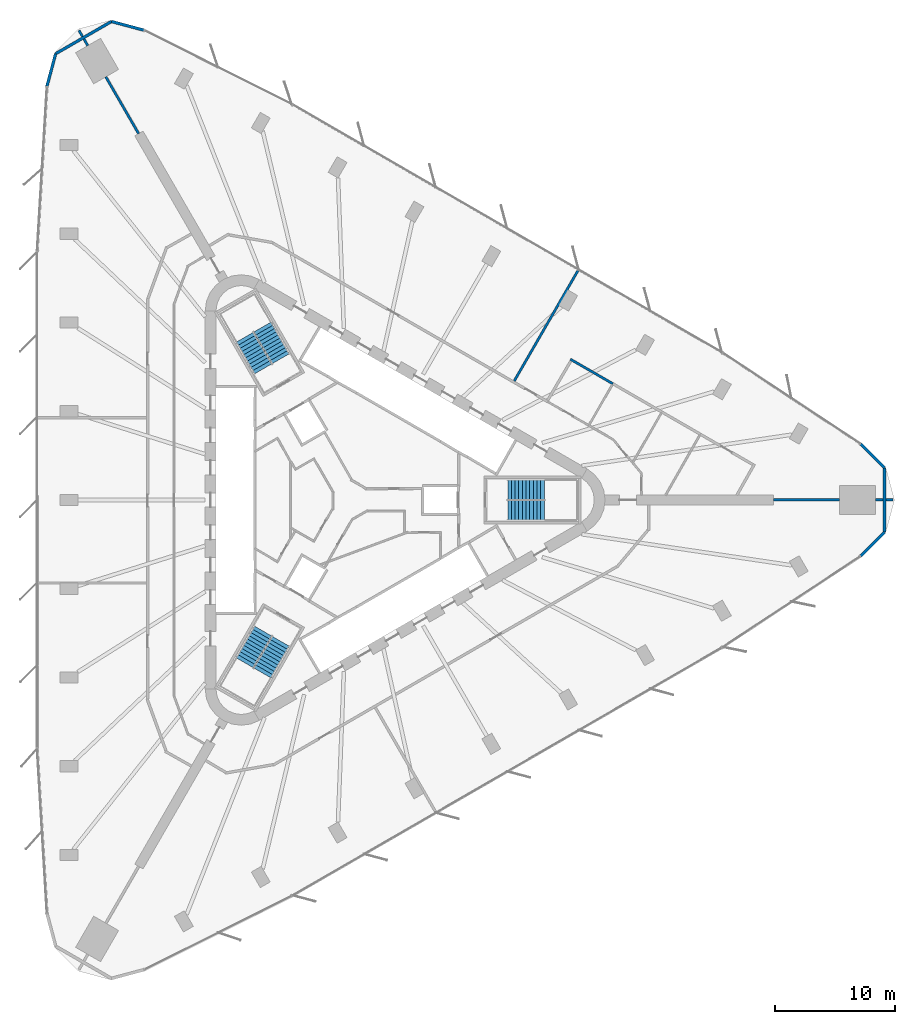
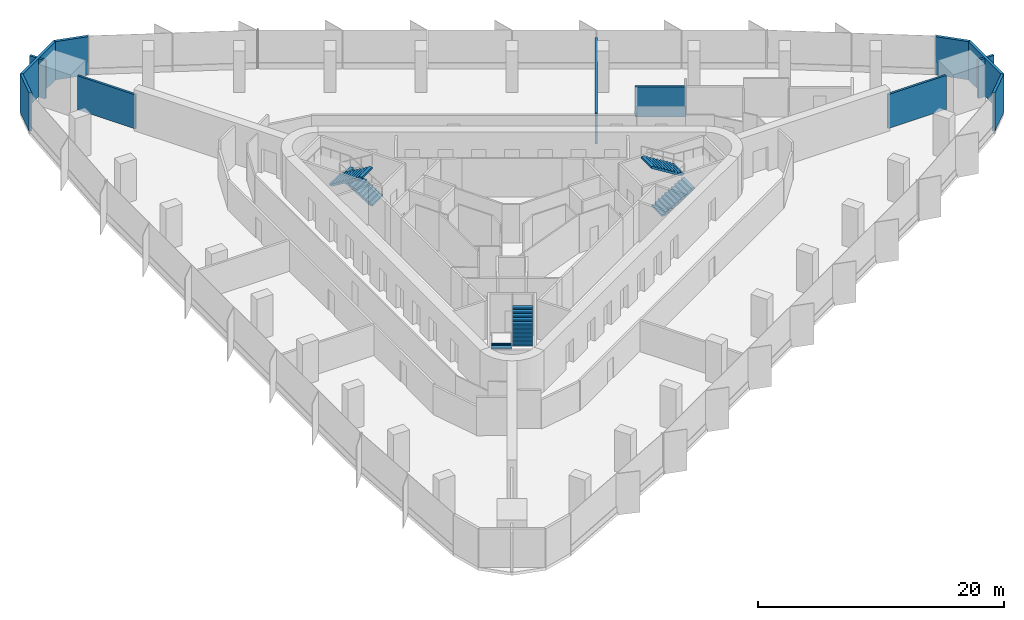
# One storey, part 13 of 14: 14 walls, 6 stair flights, 3 elements without a shape of their own.
"""IFC4 building model written with IfcOpenShell, lengths in metres."""

from ifc_helpers import new_model, si_unit, direction, frame, frame_2d, origin, place, context, subcontext, project, spatial, polyline, rectangle, outline, extrude, material, layer, layer_set, type_object, element, aggregate, save


model = new_model("IFC4")

# Units and contexts
model_context = context("Model", 3, precision=1e-05, world=origin(), true_north=direction((0.0, 1.0)))
body_context = subcontext(model_context, "Body", "Model", "MODEL_VIEW")
ifc_project = project(units=[si_unit("LENGTHUNIT", "METRE"), si_unit("AREAUNIT", "SQUARE_METRE"), si_unit("VOLUMEUNIT", "CUBIC_METRE"), si_unit("PLANEANGLEUNIT", "RADIAN"), si_unit("MASSUNIT", "GRAM", prefix="KILO")], contexts=[model_context])

# Site, building, storey
site_placement = place(None, origin())
site = spatial("IfcSite", under=ifc_project, at=site_placement, CompositionType="ELEMENT")
building_placement = place(site_placement, origin())
building = spatial("IfcBuilding", under=site, at=building_placement, Name="Tanit Gate Tower", CompositionType="ELEMENT")
storey_placement = place(building_placement, frame((0.0, 0.0, 53.699951171875)))
storey = spatial("IfcBuildingStorey", under=building, at=storey_placement, Name="L09", CompositionType="ELEMENT", Elevation=53.699951171875)

# Walls
ifc_material_1 = material(Name="Concrete C30/37 with bronze anodised aluminium cladding", Category="concrete")
ifc_layer_1 = layer(ifc_material_1, 0.239990234375)
ifc_layer_set_1 = layer_set([ifc_layer_1], Name="Facade wall bronze clad 240")
wall_type_1 = type_object("IfcWallType", Name="Facade wall bronze clad 240", PredefinedType="SOLIDWALL", material=ifc_layer_set_1)
wall_1_placement = place(storey_placement, frame((-17.202880859375, 39.1279296875, 0.0), z_axis=(0.0, 0.0, 1.0), x_axis=(-0.965923146675, 0.25882904535, 0.0)))
element("IfcWall", 1, at=wall_1_placement, inside=storey, type_object=wall_type_1, Name="Bronze-clad facade wall L09 NW.arc1", PredefinedType="SOLIDWALL", context=body_context, shape_type="SweptSolid", body=[
    extrude(rectangle(XDim=2.800537109375, YDim=0.239990234375, at=frame_2d((1.400390625, 0.0))), origin(), (0.0, 0.0, 1.0), 3.800048828125),
])
wall_2_placement = place(storey_placement, frame((-19.907958984375, 39.852783203125, 0.0), z_axis=(0.0, 0.0, 1.0), x_axis=(-0.866010734295, -0.500025407441, 0.0)))
element("IfcWall", 2, at=wall_2_placement, inside=storey, type_object=wall_type_1, Name="Bronze-clad facade wall L09 NW.arc2", PredefinedType="SOLIDWALL", context=body_context, shape_type="SweptSolid", body=[
    extrude(rectangle(XDim=5.371337890625, YDim=0.239990234375, at=frame_2d((2.685546875, 0.0))), origin(), (0.0, 0.0, 1.0), 3.800048828125),
])
wall_3_placement = place(storey_placement, frame((-24.5595703125, 37.1669921875, 0.0), z_axis=(0.0, 0.0, 1.0), x_axis=(-0.258850842196, -0.965917305723, 0.0)))
element("IfcWall", 3, at=wall_3_placement, inside=storey, type_object=wall_type_1, Name="Bronze-clad facade wall L09 NW.arc3", PredefinedType="SOLIDWALL", context=body_context, shape_type="SweptSolid", body=[
    extrude(rectangle(XDim=2.80029296875, YDim=0.239990234375, at=frame_2d((1.400146484375, 0.0))), origin(), (0.0, 0.0, 1.0), 3.800048828125),
])
wall_4_placement = place(storey_placement, frame((42.4873046875, -4.665771484375, 0.0), z_axis=(0.0, 0.0, 1.0), x_axis=(0.707106781187, 0.707106781187, 0.0)))
element("IfcWall", 4, at=wall_4_placement, inside=storey, type_object=wall_type_1, Name="Bronze-clad facade wall L09 E.arc1", PredefinedType="SOLIDWALL", context=body_context, shape_type="SweptSolid", body=[
    extrude(rectangle(XDim=2.800537109375, YDim=0.239990234375, at=frame_2d((1.400390625, 0.0))), origin(), (0.0, 0.0, 1.0), 3.800048828125),
])
wall_5_placement = place(storey_placement, frame((44.467529296875, -2.685546875, 0.0), z_axis=(0.0, 0.0, 1.0), x_axis=(0.0, 1.0, 0.0)))
element("IfcWall", 5, at=wall_5_placement, inside=storey, type_object=wall_type_1, Name="Bronze-clad facade wall L09 E.arc2", PredefinedType="SOLIDWALL", context=body_context, shape_type="SweptSolid", body=[
    extrude(rectangle(XDim=5.37109375, YDim=0.239990234375, at=frame_2d((2.685546875, 0.0))), origin(), (0.0, 0.0, 1.0), 3.800048828125),
])
wall_6_placement = place(storey_placement, frame((44.467529296875, 2.685546875, 0.0), z_axis=(0.0, 0.0, 1.0), x_axis=(-0.707106781187, 0.707106781187, 0.0)))
element("IfcWall", 6, at=wall_6_placement, inside=storey, type_object=wall_type_1, Name="Bronze-clad facade wall L09 E.arc3", PredefinedType="SOLIDWALL", context=body_context, shape_type="SweptSolid", body=[
    extrude(rectangle(XDim=2.800537109375, YDim=0.239990234375, at=frame_2d((1.400390625, 0.0))), origin(), (0.0, 0.0, 1.0), 3.800048828125),
])
ifc_material_2 = material(Name="Fire-rated gypsum board partition")
ifc_layer_2 = layer(ifc_material_2, 0.199951171875)
ifc_layer_set_2 = layer_set([ifc_layer_2], Name="INT-WALL-COMPARTMENT")
wall_type_2 = type_object("IfcWallType", Name="INT-WALL-COMPARTMENT", PredefinedType="PARTITIONING", material=ifc_layer_set_2)
wall_7_placement = place(storey_placement, frame((-22.615478515625, 39.111083984375, 0.0), z_axis=(0.0, 0.0, 1.0), x_axis=(0.500222587251, -0.865896854829, 0.0)))
element("IfcWall", 7, at=wall_7_placement, inside=storey, type_object=wall_type_2, Name="Wall Compartment W119", PredefinedType="PARTITIONING", context=body_context, shape_type="SweptSolid", body=[
    extrude(rectangle(XDim=0.591552734375, YDim=0.199951171875, at=frame_2d((0.2958984375, 0.0))), origin(), (0.0, 0.0, 1.0), 3.800048828125),
])
wall_8_placement = place(storey_placement, frame((-22.19970703125, 38.39111328125, 0.0), z_axis=(0.0, 0.0, 1.0), x_axis=(0.499977104415, -0.866038622153, 0.0)))
element("IfcWall", 8, at=wall_8_placement, inside=storey, type_object=wall_type_2, Name="Wall Compartment W119x1", PredefinedType="PARTITIONING", context=body_context, shape_type="SweptSolid", body=[
    extrude(rectangle(XDim=0.63623046875, YDim=0.199951171875, at=frame_2d((0.318115234375, 0.0))), origin(), (0.0, 0.0, 1.0), 3.800048828125),
])
wall_9_placement = place(storey_placement, frame((-20.381591796875, 35.241943359375, 0.0), z_axis=(0.0, 0.0, 1.0), x_axis=(0.499984217882, -0.866034515403, 0.0)))
element("IfcWall", 9, at=wall_9_placement, inside=storey, type_object=wall_type_2, Name="Wall Compartment W120", PredefinedType="PARTITIONING", context=body_context, shape_type="SweptSolid", body=[
    extrude(rectangle(XDim=5.463134765625, YDim=0.199951171875, at=frame_2d((2.7314453125, 0.0))), origin(), (0.0, 0.0, 1.0), 3.3701171875),
])
wall_10_placement = place(storey_placement, frame((13.634521484375, 9.91064453125, 0.0), z_axis=(0.0, 0.0, 1.0), x_axis=(0.499942170756, 0.86605878894, 0.0)))
element("IfcWall", 10, at=wall_10_placement, inside=storey, type_object=wall_type_2, Name="Wall Compartment W121", PredefinedType="PARTITIONING", context=body_context, shape_type="SweptSolid", body=[
    extrude(rectangle(XDim=10.708740234375, YDim=0.199951171875, at=frame_2d((5.3544921875, 0.0))), origin(), (0.0, 0.0, 1.0), 3.080078125),
])
wall_11_placement = place(storey_placement, frame((45.178955078125, 0.030029296875, 0.0), z_axis=(0.0, 0.0, 1.0), x_axis=(-1.0, 0.0, 0.0)))
element("IfcWall", 11, at=wall_11_placement, inside=storey, type_object=wall_type_2, Name="Wall Compartment W123", PredefinedType="PARTITIONING", context=body_context, shape_type="SweptSolid", body=[
    extrude(rectangle(XDim=0.591552734375, YDim=0.199951171875, at=frame_2d((0.2958984375, 0.0))), origin(), (0.0, 0.0, 1.0), 3.800048828125),
])
wall_12_placement = place(storey_placement, frame((44.347412109375, 0.030029296875, 0.0), z_axis=(0.0, 0.0, 1.0), x_axis=(-1.0, 0.0, 0.0)))
element("IfcWall", 12, at=wall_12_placement, inside=storey, type_object=wall_type_2, Name="Wall Compartment W123x1", PredefinedType="PARTITIONING", context=body_context, shape_type="SweptSolid", body=[
    extrude(rectangle(XDim=0.63623046875, YDim=0.199951171875, at=frame_2d((0.318115234375, 0.0))), origin(), (0.0, 0.0, 1.0), 3.800048828125),
])
wall_13_placement = place(storey_placement, frame((40.711181640625, 0.030029296875, 0.0), z_axis=(0.0, 0.0, 1.0), x_axis=(-1.0, 0.0, 0.0)))
element("IfcWall", 13, at=wall_13_placement, inside=storey, type_object=wall_type_2, Name="Wall Compartment W122", PredefinedType="PARTITIONING", context=body_context, shape_type="SweptSolid", body=[
    extrude(rectangle(XDim=5.463134765625, YDim=0.199951171875, at=frame_2d((2.7314453125, 0.0))), origin(), (0.0, 0.0, 1.0), 3.3701171875),
])
wall_14_placement = place(storey_placement, frame((18.315185546875, 11.722900390625, 0.0), z_axis=(0.0, 0.0, 1.0), x_axis=(0.866048124097, -0.4999606452, 0.0)))
element("IfcWall", 14, at=wall_14_placement, inside=storey, type_object=wall_type_2, Name="Wall Compartment W124", PredefinedType="PARTITIONING", context=body_context, shape_type="SweptSolid", body=[
    extrude(rectangle(XDim=4.081298828125, YDim=0.199951171875, at=frame_2d((2.04052734375, 0.0))), origin(), (0.0, 0.0, 1.0), 2.97998046875),
])

# Stair, stair flights
ifc_material_3 = material(Name="Concrete C40/50", Category="concrete")
stair_type = type_object("IfcStairType", Name="INT-STAIR-EXIT", PredefinedType="HALF_TURN_STAIR", material=ifc_material_3)
stair_1_placement = place(storey_placement, origin())
stair_1 = element("IfcStair", 15, at=stair_1_placement, inside=storey, type_object=stair_type, Name="L09 STAIR S1", PredefinedType="HALF_TURN_STAIR")
ifc_material_4 = material(Name="Concrete C40/50", Category="concrete")
stair_flight_type = type_object("IfcStairFlightType", Name="INT-STAIR-FLIGHT", PredefinedType="STRAIGHT", material=ifc_material_4)
stair_flight_1_placement = place(storey_placement, frame((13.094970703125, -0.8525390625, 0.0), z_axis=(0.0, 0.0, 1.0), x_axis=(1.0, 0.0, 0.0)))
stair_flight_1 = element("IfcStairFlight", 16, at=stair_flight_1_placement, type_object=stair_flight_type, Name="S1 flight 1", NumberOfRisers=11, NumberOfTreads=10, PredefinedType="STRAIGHT", RiserHeight=0.186363636, TreadLength=0.3051, context=body_context, shape_type="SweptSolid", body=[
    extrude(outline(polyline([(0.0, 0.0), (0.0, 0.186279296875), (0.30517578125, 0.186279296875), (0.30517578125, 0.372802734375), (0.610107421875, 0.372802734375), (0.610107421875, 0.55908203125), (0.915283203125, 0.55908203125), (0.915283203125, 0.745361328125), (1.220458984375, 0.745361328125), (1.220458984375, 0.931884765625), (1.525390625, 0.931884765625), (1.525390625, 1.1181640625), (1.83056640625, 1.1181640625), (1.83056640625, 1.304443359375), (2.1357421875, 1.304443359375), (2.1357421875, 1.490966796875), (2.44091796875, 1.490966796875), (2.44091796875, 1.67724609375), (2.745849609375, 1.67724609375), (2.745849609375, 1.863525390625), (3.051025390625, 1.863525390625), (3.051025390625, 2.050048828125), (3.051025390625, 1.68798828125), (0.28759765625, 0.0), (0.0, 0.0)])), frame((0.0, 0.84765625, 0.0), z_axis=(0.0, -1.0, 0.0), x_axis=(1.0, 0.0, 0.0)), (0.0, 0.0, 1.0), 1.695068359375),
])
stair_flight_2_placement = place(storey_placement, frame((16.14599609375, 0.8525390625, 2.050048828125), z_axis=(0.0, 0.0, 1.0), x_axis=(-1.0, 0.0, 0.0)))
stair_flight_2 = element("IfcStairFlight", 17, at=stair_flight_2_placement, type_object=stair_flight_type, Name="S1 flight 2", NumberOfRisers=11, NumberOfTreads=10, PredefinedType="STRAIGHT", RiserHeight=0.186363636, TreadLength=0.3051, context=body_context, shape_type="SweptSolid", body=[
    extrude(outline(polyline([(0.0, 0.0), (0.0, 0.186279296875), (0.30517578125, 0.186279296875), (0.30517578125, 0.372802734375), (0.610107421875, 0.372802734375), (0.610107421875, 0.55908203125), (0.915283203125, 0.55908203125), (0.915283203125, 0.745361328125), (1.220458984375, 0.745361328125), (1.220458984375, 0.931884765625), (1.525390625, 0.931884765625), (1.525390625, 1.1181640625), (1.83056640625, 1.1181640625), (1.83056640625, 1.304443359375), (2.1357421875, 1.304443359375), (2.1357421875, 1.490966796875), (2.44091796875, 1.490966796875), (2.44091796875, 1.67724609375), (2.745849609375, 1.67724609375), (2.745849609375, 1.863525390625), (3.051025390625, 1.863525390625), (3.051025390625, 2.050048828125), (3.051025390625, 1.68798828125), (0.28759765625, 0.0), (0.0, 0.0)])), frame((0.0, 0.84765625, 0.0), z_axis=(0.0, -1.0, 0.0), x_axis=(1.0, 0.0, 0.0)), (0.0, 0.0, 1.0), 1.695068359375),
])
aggregate(stair_1, [stair_flight_1, stair_flight_2])

stair_2_placement = place(storey_placement, origin())
stair_2 = element("IfcStair", 18, at=stair_2_placement, inside=storey, type_object=stair_type, Name="L09 STAIR S2", PredefinedType="HALF_TURN_STAIR")
stair_flight_3_placement = place(storey_placement, frame((-5.808349609375, 11.766357421875, 0.0), z_axis=(0.0, 0.0, 1.0), x_axis=(-0.5, 0.866025403784, 0.0)))
stair_flight_3 = element("IfcStairFlight", 19, at=stair_flight_3_placement, type_object=stair_flight_type, Name="S2 flight 1", NumberOfRisers=11, NumberOfTreads=10, PredefinedType="STRAIGHT", RiserHeight=0.186363636, TreadLength=0.30492, context=body_context, shape_type="SweptSolid", body=[
    extrude(outline(polyline([(0.0, 0.0), (0.0, 0.186279296875), (0.304931640625, 0.186279296875), (0.304931640625, 0.372802734375), (0.60986328125, 0.372802734375), (0.60986328125, 0.55908203125), (0.914794921875, 0.55908203125), (0.914794921875, 0.745361328125), (1.2197265625, 0.745361328125), (1.2197265625, 0.931884765625), (1.524658203125, 0.931884765625), (1.524658203125, 1.1181640625), (1.82958984375, 1.1181640625), (1.82958984375, 1.304443359375), (2.134521484375, 1.304443359375), (2.134521484375, 1.490966796875), (2.439453125, 1.490966796875), (2.439453125, 1.67724609375), (2.744384765625, 1.67724609375), (2.744384765625, 1.863525390625), (3.04931640625, 1.863525390625), (3.04931640625, 2.050048828125), (3.04931640625, 1.68798828125), (0.287353515625, 0.0), (0.0, 0.0)])), frame((0.0, 0.84716796875, 0.0), z_axis=(0.0, -1.0, 0.0), x_axis=(1.0, 0.0, 0.0)), (0.0, 0.0, 1.0), 1.694091796875),
])
stair_flight_4_placement = place(storey_placement, frame((-8.810302734375, 13.553955078125, 2.050048828125), z_axis=(0.0, 0.0, 1.0), x_axis=(0.5, -0.866025403784, 0.0)))
stair_flight_4 = element("IfcStairFlight", 20, at=stair_flight_4_placement, type_object=stair_flight_type, Name="S2 flight 2", NumberOfRisers=11, NumberOfTreads=10, PredefinedType="STRAIGHT", RiserHeight=0.186363636, TreadLength=0.30492, context=body_context, shape_type="SweptSolid", body=[
    extrude(outline(polyline([(0.0, 0.0), (0.0, 0.186279296875), (0.304931640625, 0.186279296875), (0.304931640625, 0.372802734375), (0.60986328125, 0.372802734375), (0.60986328125, 0.55908203125), (0.914794921875, 0.55908203125), (0.914794921875, 0.745361328125), (1.2197265625, 0.745361328125), (1.2197265625, 0.931884765625), (1.524658203125, 0.931884765625), (1.524658203125, 1.1181640625), (1.82958984375, 1.1181640625), (1.82958984375, 1.304443359375), (2.134521484375, 1.304443359375), (2.134521484375, 1.490966796875), (2.439453125, 1.490966796875), (2.439453125, 1.67724609375), (2.744384765625, 1.67724609375), (2.744384765625, 1.863525390625), (3.04931640625, 1.863525390625), (3.04931640625, 2.050048828125), (3.04931640625, 1.68798828125), (0.287353515625, 0.0), (0.0, 0.0)])), frame((0.0, 0.84716796875, 0.0), z_axis=(0.0, -1.0, 0.0), x_axis=(1.0, 0.0, 0.0)), (0.0, 0.0, 1.0), 1.694091796875),
])
aggregate(stair_2, [stair_flight_3, stair_flight_4])

stair_3_placement = place(storey_placement, origin())
stair_3 = element("IfcStair", 21, at=stair_3_placement, inside=storey, type_object=stair_type, Name="L09 STAIR S3", PredefinedType="HALF_TURN_STAIR")
stair_flight_5_placement = place(storey_placement, frame((-7.285888671875, -10.914306640625, 0.0), z_axis=(0.0, 0.0, 1.0), x_axis=(-0.5, -0.866025403784, 0.0)))
stair_flight_5 = element("IfcStairFlight", 22, at=stair_flight_5_placement, type_object=stair_flight_type, Name="S3 flight 1", NumberOfRisers=11, NumberOfTreads=10, PredefinedType="STRAIGHT", RiserHeight=0.186363636, TreadLength=0.3051, context=body_context, shape_type="SweptSolid", body=[
    extrude(outline(polyline([(0.0, 0.0), (0.0, 0.186279296875), (0.30517578125, 0.186279296875), (0.30517578125, 0.372802734375), (0.610107421875, 0.372802734375), (0.610107421875, 0.55908203125), (0.915283203125, 0.55908203125), (0.915283203125, 0.745361328125), (1.220458984375, 0.745361328125), (1.220458984375, 0.931884765625), (1.525390625, 0.931884765625), (1.525390625, 1.1181640625), (1.83056640625, 1.1181640625), (1.83056640625, 1.304443359375), (2.1357421875, 1.304443359375), (2.1357421875, 1.490966796875), (2.44091796875, 1.490966796875), (2.44091796875, 1.67724609375), (2.745849609375, 1.67724609375), (2.745849609375, 1.863525390625), (3.051025390625, 1.863525390625), (3.051025390625, 2.050048828125), (3.051025390625, 1.68798828125), (0.28759765625, 0.0), (0.0, 0.0)])), frame((0.0, 0.84765625, 0.0), z_axis=(0.0, -1.0, 0.0), x_axis=(1.0, 0.0, 0.0)), (0.0, 0.0, 1.0), 1.695068359375),
])
stair_flight_6_placement = place(storey_placement, frame((-7.334716796875, -14.4091796875, 2.050048828125), z_axis=(0.0, 0.0, 1.0), x_axis=(0.5, 0.866025403784, 0.0)))
stair_flight_6 = element("IfcStairFlight", 23, at=stair_flight_6_placement, type_object=stair_flight_type, Name="S3 flight 2", NumberOfRisers=11, NumberOfTreads=10, PredefinedType="STRAIGHT", RiserHeight=0.186363636, TreadLength=0.3051, context=body_context, shape_type="SweptSolid", body=[
    extrude(outline(polyline([(0.0, 0.0), (0.0, 0.186279296875), (0.30517578125, 0.186279296875), (0.30517578125, 0.372802734375), (0.610107421875, 0.372802734375), (0.610107421875, 0.55908203125), (0.915283203125, 0.55908203125), (0.915283203125, 0.745361328125), (1.220458984375, 0.745361328125), (1.220458984375, 0.931884765625), (1.525390625, 0.931884765625), (1.525390625, 1.1181640625), (1.83056640625, 1.1181640625), (1.83056640625, 1.304443359375), (2.1357421875, 1.304443359375), (2.1357421875, 1.490966796875), (2.44091796875, 1.490966796875), (2.44091796875, 1.67724609375), (2.745849609375, 1.67724609375), (2.745849609375, 1.863525390625), (3.051025390625, 1.863525390625), (3.051025390625, 2.050048828125), (3.051025390625, 1.68798828125), (0.28759765625, 0.0), (0.0, 0.0)])), frame((0.0, 0.84765625, 0.0), z_axis=(0.0, -1.0, 0.0), x_axis=(1.0, 0.0, 0.0)), (0.0, 0.0, 1.0), 1.695068359375),
])
aggregate(stair_3, [stair_flight_5, stair_flight_6])

save(model, "model.ifc")
